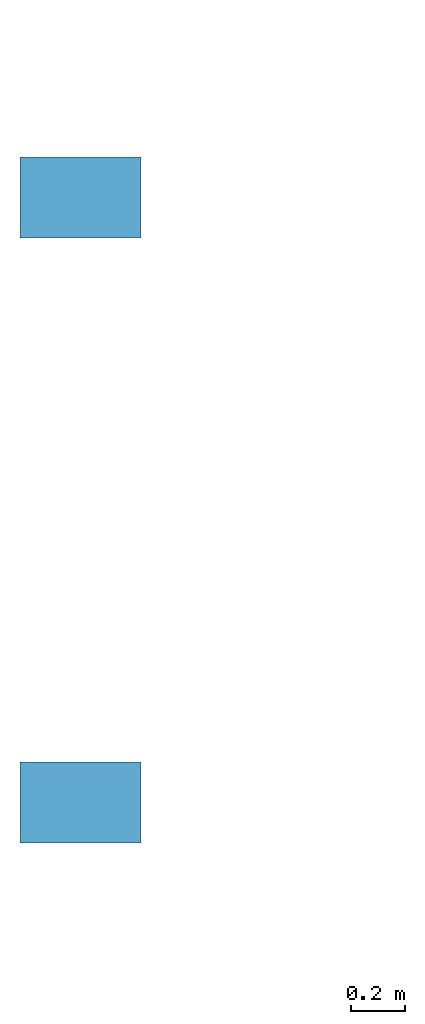
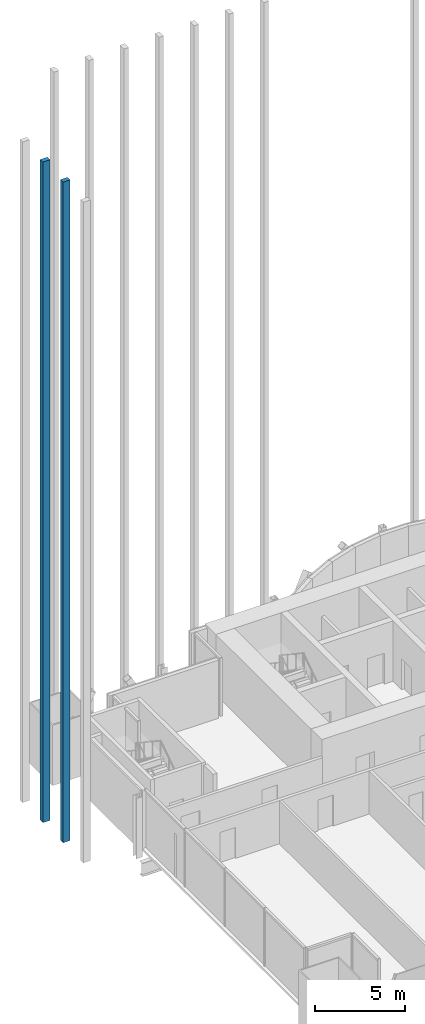
# One storey, part 10 of 33: 2 members, 1 element without a shape of its own.
"""IFC4 building model written with IfcOpenShell, lengths in metres."""

from ifc_helpers import new_model, si_unit, direction, frame, origin, origin_2d, place, context, subcontext, project, spatial, rectangle, extrude, material, material_profile, profile_set, type_object, element, aggregate, save


model = new_model("IFC4")

# Units and contexts
model_context = context("Model", 3, precision=1e-05, world=origin(), true_north=direction((0.0, 1.0)))
body_context = subcontext(model_context, "Body", "Model", "MODEL_VIEW")
ifc_project = project(units=[si_unit("LENGTHUNIT", "METRE"), si_unit("AREAUNIT", "SQUARE_METRE"), si_unit("VOLUMEUNIT", "CUBIC_METRE"), si_unit("PLANEANGLEUNIT", "RADIAN"), si_unit("MASSUNIT", "GRAM", prefix="KILO")], contexts=[model_context])

# Site, building, storey
site_placement = place(None, origin())
site = spatial("IfcSite", under=ifc_project, at=site_placement, CompositionType="ELEMENT")
building_placement = place(site_placement, origin())
building = spatial("IfcBuilding", under=site, at=building_placement, Name="Bicima Exchange Tower", CompositionType="ELEMENT")
storey_placement = place(building_placement, frame((0.0, 0.0, 140.39990234375)))
storey = spatial("IfcBuildingStorey", under=building, at=storey_placement, Name="L30", CompositionType="ELEMENT", Elevation=140.39990234375)

# Curtain wall, members
ifc_material = material(Name="Anodised bronze aluminium", Category="aluminium")
curtain_wall_type = type_object("IfcCurtainWallType", Name="Rear blade screen", PredefinedType="NOTDEFINED", material=ifc_material)
curtain_wall_placement = place(storey_placement, origin())
curtain_wall = element("IfcCurtainWall", 1, at=curtain_wall_placement, inside=storey, type_object=curtain_wall_type, Name="End blade screen L30-L40", PredefinedType="NOTDEFINED")
ifc_material_profile = material_profile(ifc_material, rectangle(XDim=0.449951171875, YDim=0.300048828125, at=origin_2d()))
ifc_profile_set = profile_set([ifc_material_profile], Name="Anodised bronze aluminium")
member_type = type_object("IfcMemberType", Name="Rear blade fin 450 x 300", PredefinedType="USERDEFINED", material=ifc_profile_set)
member_1_placement = place(storey_placement, frame((-36.324951171875, -9.25, 0.0), z_axis=(0.0, 0.0, 1.0), x_axis=(1.0, 0.0, 0.0)))
member_1 = element("IfcMember", 2, at=member_1_placement, type_object=member_type, Name="End blade fin L30-L40 2", ObjectType="FIN", PredefinedType="USERDEFINED", context=body_context, shape_type="SweptSolid", body=[
    extrude(rectangle(XDim=0.449951171875, YDim=0.300048828125, at=origin_2d()), origin(), (0.0, 0.0, 1.0), 44.900146484375),
])
member_2_placement = place(storey_placement, frame((-36.324951171875, -7.0, 0.0), z_axis=(0.0, 0.0, 1.0), x_axis=(1.0, 0.0, 0.0)))
member_2 = element("IfcMember", 3, at=member_2_placement, type_object=member_type, Name="End blade fin L30-L40 3", ObjectType="FIN", PredefinedType="USERDEFINED", context=body_context, shape_type="SweptSolid", body=[
    extrude(rectangle(XDim=0.449951171875, YDim=0.300048828125, at=origin_2d()), origin(), (0.0, 0.0, 1.0), 44.900146484375),
])
aggregate(curtain_wall, [member_1, member_2])

save(model, "model.ifc")
